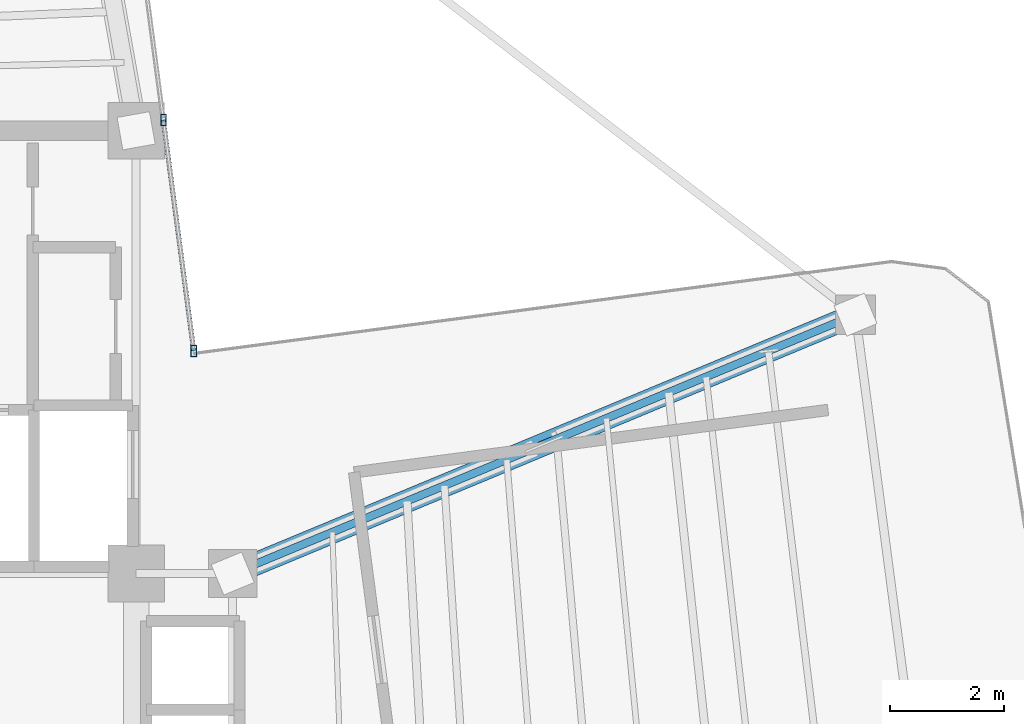
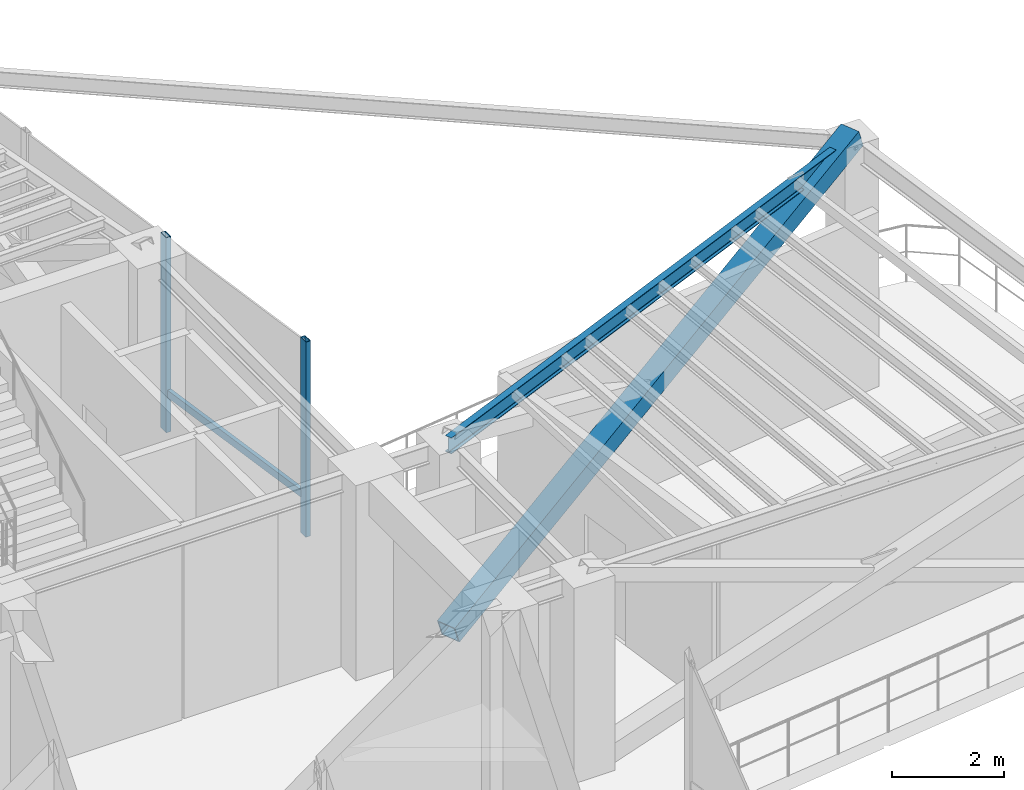
# One storey, part 7 of 17: 4 members, 1 beam, 1 element without a shape of its own.
"""IFC4 building model written with IfcOpenShell, lengths in metres."""

import ifcopenshell
import ifcopenshell.guid

model = None  # the IFC model being written
_history = None  # IfcOwnerHistory: only IFC2X3 demands one
_inside = {}  # id of a spatial element -> (the spatial element, [elements in it])
_under = {}  # id of a project, library or spatial element -> (it, [spatial elements below it])
_declared = {}  # id of a project -> (the project, [libraries it declares])
_typed = {}  # id of a type object -> (the type object, [elements of that type])
_made_of = {}  # id of a material, layer set ... -> (it, [elements and type objects made of it])


def new_model(schema):
    """Start an empty IFC model of exactly this schema.

    Asked for "IFC4X3", IfcOpenShell would pick the latest addendum, in which some entities
    have other attributes; the version numbers below select the first issue.
    IFC2X3 requires an IfcOwnerHistory on every rooted entity: one is made here for all.
    """
    global model, _history
    if schema == "IFC4X3":
        model = ifcopenshell.file(schema_version=(4, 3, 0, 0))
    else:
        model = ifcopenshell.file(schema=schema)
    _inside.clear()
    _under.clear()
    _declared.clear()
    _typed.clear()
    _made_of.clear()
    _history = None
    if model.schema == "IFC2X3":
        org = make("IfcOrganization", Name="unknown")
        user = make(
            "IfcPersonAndOrganization",
            ThePerson=make("IfcPerson", FamilyName="unknown"),
            TheOrganization=org,
        )
        app = make(
            "IfcApplication",
            ApplicationDeveloper=org,
            Version="unknown",
            ApplicationFullName="unknown",
            ApplicationIdentifier="unknown",
        )
        _history = make(
            "IfcOwnerHistory",
            OwningUser=user,
            OwningApplication=app,
            ChangeAction="ADDED",
            CreationDate=0,
        )
    return model


def make(cls, **values):
    """One entity of the class cls with the attributes given. An attribute that is None is left unset."""
    return model.create_entity(
        cls, **{name: value for name, value in values.items() if value is not None}
    )


def rooted(cls, **values):
    """An entity with a GlobalId (a new one), such as an element, a storey or a relation."""
    return make(cls, GlobalId=ifcopenshell.guid.new(), OwnerHistory=_history, **values)


def si_unit(unit_type, name, prefix=None):
    """IfcSIUnit, for example si_unit("LENGTHUNIT", "METRE", prefix="MILLI")."""
    return make("IfcSIUnit", UnitType=unit_type, Prefix=prefix, Name=name)


def assignment(units):
    """IfcUnitAssignment: the units of a project."""
    return None if units is None else make("IfcUnitAssignment", Units=units)


def point(xyz):
    """IfcCartesianPoint."""
    return None if xyz is None else make("IfcCartesianPoint", Coordinates=xyz)


def direction(xyz):
    """IfcDirection."""
    return None if xyz is None else make("IfcDirection", DirectionRatios=xyz)


def frame(location, z_axis=None, x_axis=None):
    """IfcAxis2Placement3D, a coordinate frame: its origin and axes. An axis left out is left unset."""
    return make(
        "IfcAxis2Placement3D",
        Location=point(location),
        Axis=direction(z_axis),
        RefDirection=direction(x_axis),
    )


def frame_2d(location, x_axis=None):
    """IfcAxis2Placement2D, a coordinate frame in the plane: its origin and x axis."""
    return make(
        "IfcAxis2Placement2D", Location=point(location), RefDirection=direction(x_axis)
    )


def origin():
    """The frame at (0, 0, 0) with its axes left unset."""
    return frame((0.0, 0.0, 0.0))


def origin_2d():
    """The frame at (0, 0) in the plane with its x axis left unset."""
    return frame_2d((0.0, 0.0))


def place(relative_to, where):
    """IfcLocalPlacement: puts the frame where relative to a parent placement (None: the world)."""
    return make(
        "IfcLocalPlacement", PlacementRelTo=relative_to, RelativePlacement=where
    )


def context(
    kind, dimensions, precision=None, world=None, true_north=None, identifier=None
):
    """IfcGeometricRepresentationContext, for example the 3D "Model" context."""
    return make(
        "IfcGeometricRepresentationContext",
        ContextIdentifier=identifier,
        ContextType=kind,
        CoordinateSpaceDimension=dimensions,
        Precision=precision,
        WorldCoordinateSystem=world,
        TrueNorth=true_north,
    )


def subcontext(parent, identifier, kind, view, scale=None):
    """IfcGeometricRepresentationSubContext, for example "Body" below "Model"."""
    return make(
        "IfcGeometricRepresentationSubContext",
        ContextIdentifier=identifier,
        ContextType=kind,
        ParentContext=parent,
        TargetScale=scale,
        TargetView=view,
    )


def project(units=None, contexts=None):
    """IfcProject with its units and contexts."""
    return rooted(
        "IfcProject",
        Name="project",
        RepresentationContexts=contexts,
        UnitsInContext=assignment(units),
    )


def spatial(cls, under=None, at=None, **own):
    """A site, building, storey or space (cls), placed at a placement, below another one or the project."""
    s = rooted(cls, ObjectPlacement=at, **own)
    if under is not None:
        _under.setdefault(under.id(), (under, []))[1].append(s)
    return s


def profile(cls, at=None, kind="AREA", **sizes):
    """A parametric profile (cls). Its sizes go by their IFC names, for example OverallWidth=200.0."""
    return make(cls, ProfileType=kind, Position=at, **sizes)


def hollow_rectangle(**sizes):
    """IfcRectangleHollowProfileDef."""
    return profile("IfcRectangleHollowProfileDef", **sizes)


def i_section(**sizes):
    """IfcIShapeProfileDef."""
    return profile("IfcIShapeProfileDef", **sizes)


def extrude(swept, where, along, depth):
    """IfcExtrudedAreaSolid: the profile swept, set in the frame where, extruded along a direction by depth."""
    return make(
        "IfcExtrudedAreaSolid",
        SweptArea=swept,
        Position=where,
        ExtrudedDirection=direction(along),
        Depth=depth,
    )


def shape(context_of_items, identifier, shape_type, items):
    """IfcShapeRepresentation: the items that make up one representation, for example the "Body"."""
    return make(
        "IfcShapeRepresentation",
        ContextOfItems=context_of_items,
        RepresentationIdentifier=identifier,
        RepresentationType=shape_type,
        Items=items,
    )


def source(mapping_origin, context_of_items, identifier, shape_type, items):
    """IfcRepresentationMap: a shape defined once, which mapped items show again and again."""
    return make(
        "IfcRepresentationMap",
        MappingOrigin=mapping_origin,
        MappedRepresentation=shape(context_of_items, identifier, shape_type, items),
    )


def transform(
    local_origin,
    x_axis=None,
    y_axis=None,
    z_axis=None,
    scale=None,
    scale2=None,
    scale3=None,
    uniform=True,
):
    """IfcCartesianTransformationOperator3D, or its non-uniform kind. x_axis, y_axis, z_axis: its Axis1, 2, 3."""
    if uniform:
        return make(
            "IfcCartesianTransformationOperator3D",
            Axis1=direction(x_axis),
            Axis2=direction(y_axis),
            LocalOrigin=point(local_origin),
            Scale=scale,
            Axis3=direction(z_axis),
        )
    return make(
        "IfcCartesianTransformationOperator3DnonUniform",
        Axis1=direction(x_axis),
        Axis2=direction(y_axis),
        LocalOrigin=point(local_origin),
        Scale=scale,
        Axis3=direction(z_axis),
        Scale2=scale2,
        Scale3=scale3,
    )


def mapped(mapping_source, mapping_target):
    """IfcMappedItem: shows the shape of a source again, moved by a transform."""
    return make(
        "IfcMappedItem", MappingSource=mapping_source, MappingTarget=mapping_target
    )


def material(Name=None, Category=None):
    """IfcMaterial."""
    return make("IfcMaterial", Name=Name, Category=Category)


def material_profile(
    of_material, cross_section, Name=None, Category=None, Priority=None
):
    """IfcMaterialProfile: a cross section and its material."""
    return make(
        "IfcMaterialProfile",
        Name=Name,
        Material=of_material,
        Profile=cross_section,
        Priority=Priority,
        Category=Category,
    )


def profile_set(profiles, Name=None, composite=None):
    """IfcMaterialProfileSet."""
    return make(
        "IfcMaterialProfileSet",
        Name=Name,
        MaterialProfiles=profiles,
        CompositeProfile=composite,
    )


def made_of(thing, what):
    """Note that an element or type object is made of a material, layer set ...; save() writes the relation."""
    if what is not None:
        _made_of.setdefault(what.id(), (what, []))[1].append(thing)
    return thing


def type_object(cls, material=None, **own):
    """A type object (cls), such as IfcWallType, which elements share."""
    return made_of(rooted(cls, **own), material)


def element(
    cls,
    number,
    at=None,
    inside=None,
    cuts=None,
    type_object=None,
    material=None,
    context=None,
    identifier="Body",
    shape_type=None,
    held_by="IfcProductDefinitionShape",
    body=None,
    shapes=None,
    **own,
):
    """One element of the class cls, such as IfcWall. Its Tag is "e" and its number.

    at: its placement. inside: the storey or other place that contains it. cuts: it is an
    opening in that element (IfcRelVoidsElement). A single representation is given by context,
    identifier, shape_type and body (its items); several are given by shapes. held_by: the class
    of the entity that holds the representations. save() writes the other relations.
    """
    e = rooted(cls, Tag="e%d" % number, ObjectPlacement=at, **own)
    if body is not None:
        shapes = [shape(context, identifier, shape_type, body)]
    if shapes is not None:
        e.Representation = make(held_by, Representations=shapes)
    if inside is not None:
        _inside.setdefault(inside.id(), (inside, []))[1].append(e)
    if cuts is not None:
        rooted(
            "IfcRelVoidsElement", RelatingBuildingElement=cuts, RelatedOpeningElement=e
        )
    if type_object is not None:
        _typed.setdefault(type_object.id(), (type_object, []))[1].append(e)
    return made_of(e, material)


def aggregate(whole, parts):
    """IfcRelAggregates: a whole, such as a stair, and the parts it consists of."""
    return rooted("IfcRelAggregates", RelatingObject=whole, RelatedObjects=parts)


def save(model, path):
    """Write the relations noted so far, then the file.

    IfcRelAggregates (storeys below a building ...), IfcRelContainedInSpatialStructure (elements
    in a storey), IfcRelDefinesByType, IfcRelAssociatesMaterial and IfcRelDeclares: one each for
    every whole, place, type object, material and project.
    """
    for whole, parts in _under.values():
        aggregate(whole, parts)
    for where, things in _inside.values():
        rooted(
            "IfcRelContainedInSpatialStructure",
            RelatedElements=things,
            RelatingStructure=where,
        )
    for kind, things in _typed.values():
        rooted("IfcRelDefinesByType", RelatedObjects=things, RelatingType=kind)
    for what, things in _made_of.values():
        rooted("IfcRelAssociatesMaterial", RelatedObjects=things, RelatingMaterial=what)
    for by, libraries in _declared.values():
        rooted("IfcRelDeclares", RelatingContext=by, RelatedDefinitions=libraries)
    model.write(path)


model = new_model("IFC4")

# Units and contexts
model_context = context("Model", 3, precision=1e-05, world=origin(), true_north=direction((0.0, 1.0)))
body_context = subcontext(model_context, "Body", "Model", "MODEL_VIEW")
ifc_project = project(units=[si_unit("LENGTHUNIT", "METRE"), si_unit("AREAUNIT", "SQUARE_METRE"), si_unit("VOLUMEUNIT", "CUBIC_METRE"), si_unit("PLANEANGLEUNIT", "RADIAN"), si_unit("MASSUNIT", "GRAM", prefix="KILO")], contexts=[model_context])

# Site, building, storey
site_placement = place(None, origin())
site = spatial("IfcSite", under=ifc_project, at=site_placement, CompositionType="ELEMENT")
building_placement = place(site_placement, origin())
building = spatial("IfcBuilding", under=site, at=building_placement, Name="Sahyath Konkavel Grand Hotel", CompositionType="ELEMENT")
storey_placement = place(building_placement, frame((0.0, 0.0, 264.60009765625)))
storey = spatial("IfcBuildingStorey", under=building, at=storey_placement, Name="L74", CompositionType="ELEMENT", Elevation=264.60009765625)

# Beam
ifc_material_1 = material(Name="Steel E350", Category="steel")
ifc_material_profile_1 = material_profile(ifc_material_1, i_section(OverallWidth=0.139892578125, OverallDepth=0.35009765625, WebThickness=0.008056640625, FlangeThickness=0.01416015625, FilletRadius=0.013916015625, at=origin_2d()), Name="ISMB 350")
ifc_profile_set_1 = profile_set([ifc_material_profile_1], Name="Steel E350")
beam_type = type_object("IfcBeamType", Name="BM-ISMB350", PredefinedType="BEAM", material=ifc_profile_set_1)
shared_shape_1 = source(origin(), body_context, "Body", "SweptSolid", [
    extrude(i_section(OverallWidth=0.139892578125, OverallDepth=0.35009765625, WebThickness=0.008056640625, FlangeThickness=0.01416015625, FilletRadius=0.013916015625, at=origin_2d()), origin(), (0.0, 0.0, 1.0), 11.882080078125),
])
beam_placement = place(storey_placement, frame((5.5, 2.39990234375, 4.0849609375), z_axis=(0.923435785797, 0.383752979804, 0.0), x_axis=(-0.383752979804, 0.923435785797, 0.0)))
element("IfcBeam", 1, at=beam_placement, inside=storey, type_object=beam_type, Name="L74 Cruciform Radial Girder EB", PredefinedType="BEAM", context=body_context, shape_type="MappedRepresentation", body=[
    mapped(shared_shape_1, transform((0.0, 0.0, 0.0), scale=1.0)),
])

# Member
ifc_material_2 = material(Name="Steel E450", Category="steel")
ifc_material_profile_2 = material_profile(ifc_material_2, hollow_rectangle(XDim=0.39990234375, YDim=0.39990234375, WallThickness=0.02001953125, at=origin_2d()), Name="SHS 400x400x20")
ifc_profile_set_2 = profile_set([ifc_material_profile_2], Name="Steel E450")
member_type_1 = type_object("IfcMemberType", Name="BR-SHS400", PredefinedType="BRACE", material=ifc_profile_set_2)
shared_shape_2 = source(origin(), body_context, "Body", "SweptSolid", [
    extrude(hollow_rectangle(XDim=0.39990234375, YDim=0.39990234375, WallThickness=0.02001953125, at=origin_2d()), origin(), (0.0, 0.0, 1.0), 12.615966796875),
])
member_1_placement = place(storey_placement, frame((5.5, 2.39990234375, 0.010009765625), z_axis=(0.86972250497, 0.361431306885, 0.336080607521), x_axis=(-0.383752979804, 0.923435785797, 0.0)))
element("IfcMember", 2, at=member_1_placement, inside=storey, type_object=member_type_1, Name="L74 Core Outrigger Truss EB Continuous Diagonal 1", PredefinedType="BRACE", context=body_context, shape_type="MappedRepresentation", body=[
    mapped(shared_shape_2, transform((0.0, 0.0, 0.0), scale=1.0)),
])

# Curtain wall, members
ifc_material_3 = material(Name="Anodised Bronze Aluminium & Low-E Glazing", Category="aluminium")
curtain_wall_type = type_object("IfcCurtainWallType", Name="CW-SKYLOBBY", PredefinedType="NOTDEFINED", material=ifc_material_3)
curtain_wall_placement = place(storey_placement, origin())
curtain_wall = element("IfcCurtainWall", 3, at=curtain_wall_placement, inside=storey, type_object=curtain_wall_type, Name="L74 Unitised Curtain Wall RF8", PredefinedType="NOTDEFINED")
ifc_material_4 = material(Name="Anodised Bronze Aluminium", Category="aluminium")
ifc_material_profile_3 = material_profile(ifc_material_4, hollow_rectangle(XDim=0.10009765625, YDim=0.199951171875, WallThickness=0.008056640625, at=origin_2d()), Name="RHS 200x100x8")
ifc_profile_set_3 = profile_set([ifc_material_profile_3], Name="Anodised Bronze Aluminium")
member_type_2 = type_object("IfcMemberType", Name="CW-MUL-200", PredefinedType="MULLION", material=ifc_profile_set_3)
shared_shape_3 = source(origin(), body_context, "Body", "SweptSolid", [
    extrude(hollow_rectangle(XDim=0.10009765625, YDim=0.199951171875, WallThickness=0.008056640625, at=origin_2d()), origin(), (0.0, 0.0, 1.0), 4.260009765625),
])
member_2_placement = place(storey_placement, frame((4.81591796875, 6.32275390625, 0.0), z_axis=(0.0, 0.0, 1.0), x_axis=(1.0, 0.0, 0.0)))
member_2 = element("IfcMember", 4, at=member_2_placement, type_object=member_type_2, Name="L74 Curtain Wall Mullion RF8-0", PredefinedType="MULLION", context=body_context, shape_type="MappedRepresentation", body=[
    mapped(shared_shape_3, transform((0.0, 0.0, 0.0), scale=1.0)),
])
member_3_placement = place(storey_placement, frame((4.2802734375, 10.390869140625, 0.0), z_axis=(0.0, 0.0, 1.0), x_axis=(1.0, 0.0, 0.0)))
member_3 = element("IfcMember", 5, at=member_3_placement, type_object=member_type_2, Name="L74 Curtain Wall Mullion RF8-1", PredefinedType="MULLION", context=body_context, shape_type="MappedRepresentation", body=[
    mapped(shared_shape_3, transform((0.0, 0.0, 0.0), scale=1.0)),
])
ifc_material_profile_4 = material_profile(ifc_material_4, hollow_rectangle(XDim=0.080078125, YDim=0.159912109375, WallThickness=0.006103515625, at=origin_2d()), Name="RHS 160x80x6")
ifc_profile_set_4 = profile_set([ifc_material_profile_4], Name="Anodised Bronze Aluminium")
member_type_3 = type_object("IfcMemberType", Name="CW-TRN-160", PredefinedType="USERDEFINED", material=ifc_profile_set_4)
shared_shape_4 = source(origin(), body_context, "Body", "SweptSolid", [
    extrude(hollow_rectangle(XDim=0.080078125, YDim=0.159912109375, WallThickness=0.006103515625, at=origin_2d()), origin(), (0.0, 0.0, 1.0), 4.103271484375),
])
member_4_placement = place(storey_placement, frame((4.81591796875, 6.32275390625, 0.849853515625), z_axis=(-0.130542242661, 0.991442748161, 0.0), x_axis=(-0.991442748161, -0.130542242661, 0.0)))
member_4 = element("IfcMember", 6, at=member_4_placement, type_object=member_type_3, Name="L74 Curtain Wall Transom RF8-0-spandrel", ObjectType="TRANSOM", PredefinedType="USERDEFINED", context=body_context, shape_type="MappedRepresentation", body=[
    mapped(shared_shape_4, transform((0.0, 0.0, 0.0), scale=1.0)),
])
aggregate(curtain_wall, [member_2, member_3, member_4])

save(model, "model.ifc")
